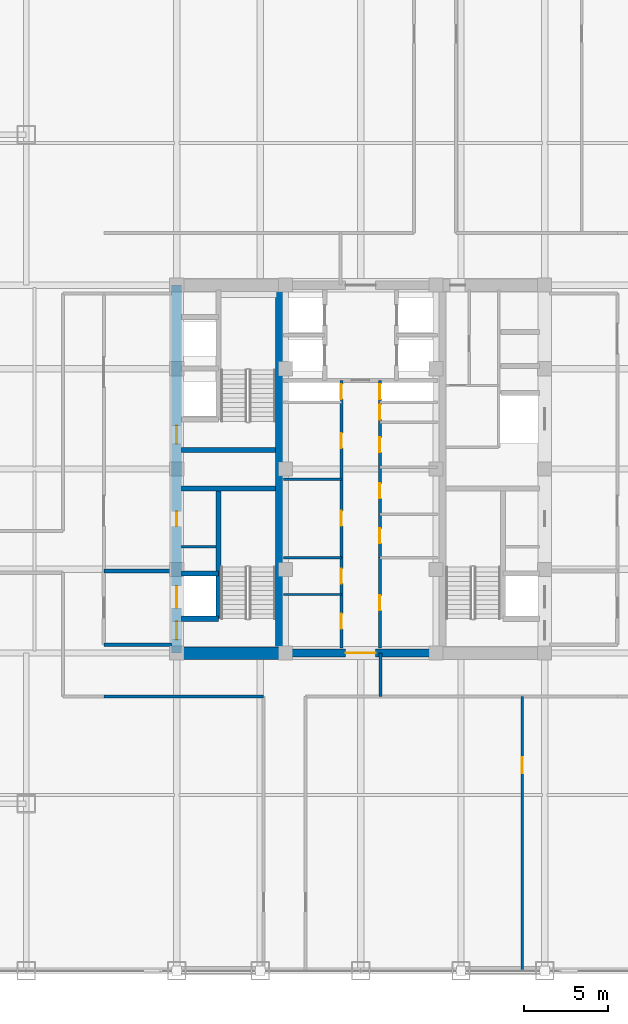
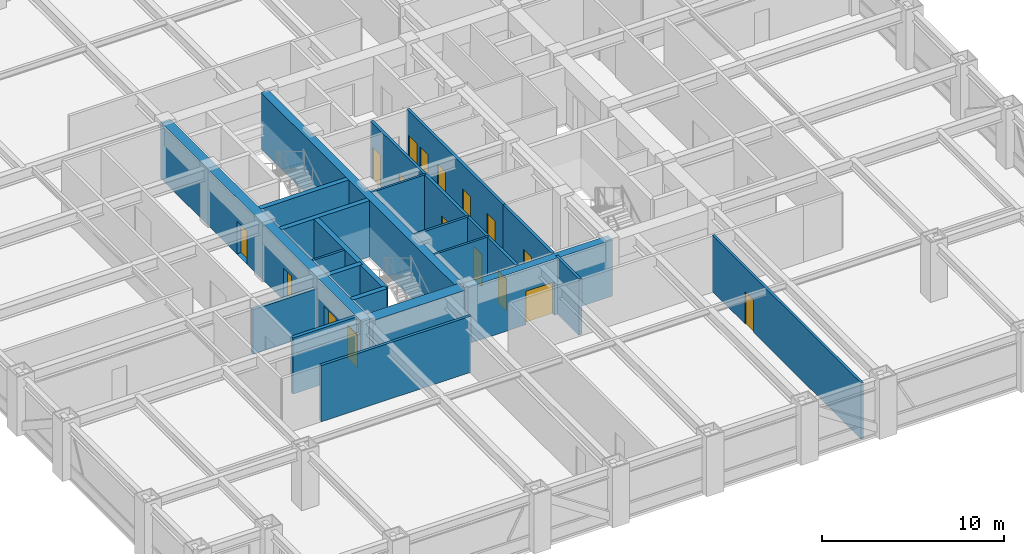
# One storey, part 20 of 24: 22 walls, 17 doors, 17 openings.
"""IFC4 building model written with IfcOpenShell, lengths in metres."""

from ifc_helpers import new_model, si_unit, direction, frame, frame_2d, origin, place, context, subcontext, project, spatial, rectangle, extrude, source, transform, mapped, material, layer, layer_set, type_object, element, fill, save


model = new_model("IFC4")

# Units and contexts
model_context = context("Model", 3, precision=1e-05, world=origin(), true_north=direction((0.0, 1.0)))
body_context = subcontext(model_context, "Body", "Model", "MODEL_VIEW")
ifc_project = project(units=[si_unit("LENGTHUNIT", "METRE"), si_unit("AREAUNIT", "SQUARE_METRE"), si_unit("VOLUMEUNIT", "CUBIC_METRE"), si_unit("PLANEANGLEUNIT", "RADIAN"), si_unit("MASSUNIT", "GRAM", prefix="KILO")], contexts=[model_context])

# Site, building, storey
site_placement = place(None, origin())
site = spatial("IfcSite", under=ifc_project, at=site_placement, CompositionType="ELEMENT")
building_placement = place(site_placement, origin())
building = spatial("IfcBuilding", under=site, at=building_placement, Name="Khorayat Bourse Tower", CompositionType="ELEMENT")
storey_placement = place(building_placement, frame((0.0, 0.0, 159.10009765625)))
storey = spatial("IfcBuildingStorey", under=building, at=storey_placement, Name="L36", CompositionType="ELEMENT", Elevation=159.10009765625)

# Wall, openings, doors
ifc_material_1 = material(Name="Concrete C60/75", Category="concrete")
ifc_layer_1 = layer(ifc_material_1, 0.60009765625)
ifc_layer_set_1 = layer_set([ifc_layer_1], Name="Concrete C60/75")
wall_type_1 = type_object("IfcWallType", Name="WAL-CORE-600", PredefinedType="SHEAR", material=ifc_layer_set_1)
shared_shape_1 = source(origin(), body_context, "Body", "SweptSolid", [
    extrude(rectangle(XDim=22.0, YDim=0.60009765625, at=frame_2d((11.0, 0.0))), origin(), (0.0, 0.0, 1.0), 3.77978515625),
])
wall_1_placement = place(storey_placement, frame((-11.0, -11.0, 0.0), z_axis=(0.0, 0.0, 1.0), x_axis=(0.0, 1.0, 0.0)))
wall_1 = element("IfcWall", 1, at=wall_1_placement, inside=storey, type_object=wall_type_1, Name="L36 Core Shear Wall CORE-W", PredefinedType="SHEAR", context=body_context, shape_type="MappedRepresentation", body=[
    mapped(shared_shape_1, transform((0.0, 0.0, 0.0), scale=1.0)),
])
shared_shape_2 = source(origin(), body_context, "Body", "SweptSolid", [
    extrude(rectangle(XDim=1.10009765625, YDim=2.199951171875, at=frame_2d((0.550048828125, 1.10009765625))), frame((0.0, 0.31005859375, 0.0), z_axis=(0.0, -1.0, 0.0), x_axis=(1.0, 0.0, 0.0)), (0.0, 0.0, 1.0), 0.6201171875),
])
opening_1_placement = place(wall_1_placement, frame((0.800048828125, 0.0, 0.0)))
opening_1 = element("IfcOpeningElement", 2, at=opening_1_placement, cuts=wall_1, Name="Opening DI-01", PredefinedType="OPENING", context=body_context, shape_type="MappedRepresentation", body=[
    mapped(shared_shape_2, transform((0.0, 0.0, 0.0), scale=1.0)),
])
opening_2_placement = place(wall_1_placement, frame((12.5, 0.0, 0.0)))
opening_2 = element("IfcOpeningElement", 3, at=opening_2_placement, cuts=wall_1, Name="Opening DI-01", PredefinedType="OPENING", context=body_context, shape_type="MappedRepresentation", body=[
    mapped(shared_shape_2, transform((0.0, 0.0, 0.0), scale=1.0)),
])
shared_shape_3 = source(origin(), body_context, "Body", "SweptSolid", [
    extrude(rectangle(XDim=0.89990234375, YDim=2.14990234375, at=frame_2d((0.449951171875, 1.074951171875))), frame((0.0, 0.31005859375, 0.0), z_axis=(0.0, -1.0, 0.0), x_axis=(1.0, 0.0, 0.0)), (0.0, 0.0, 1.0), 0.6201171875),
])
opening_3_placement = place(wall_1_placement, frame((7.574951171875, 0.0, 0.0)))
opening_3 = element("IfcOpeningElement", 4, at=opening_3_placement, cuts=wall_1, Name="Opening DI-06", PredefinedType="OPENING", context=body_context, shape_type="MappedRepresentation", body=[
    mapped(shared_shape_3, transform((0.0, 0.0, 0.0), scale=1.0)),
])
shared_shape_4 = source(origin(), body_context, "Body", "SweptSolid", [
    extrude(rectangle(XDim=1.300048828125, YDim=2.300048828125, at=frame_2d((0.64990234375, 1.14990234375))), frame((0.0, 0.31005859375, 0.0), z_axis=(0.0, -1.0, 0.0), x_axis=(1.0, 0.0, 0.0)), (0.0, 0.0, 1.0), 0.6201171875),
])
opening_4_placement = place(wall_1_placement, frame((2.699951171875, 0.0, 0.0)))
opening_4 = element("IfcOpeningElement", 5, at=opening_4_placement, cuts=wall_1, Name="Opening LD-02", PredefinedType="OPENING", context=body_context, shape_type="MappedRepresentation", body=[
    mapped(shared_shape_4, transform((0.0, 0.0, 0.0), scale=1.0)),
])
ifc_material_2 = material(Name="Fire-rated steel acoustic leaf", Category="steel")
door_type_1 = type_object("IfcDoorType", Name="DR-INT-STAIR-1100", OperationType="NOTDEFINED", PredefinedType="DOOR", material=ifc_material_2)
shared_shape_5 = source(origin(), body_context, "Body", "SweptSolid", [
    extrude(rectangle(XDim=1.10009765625, YDim=2.199951171875, at=frame_2d((0.550048828125, 1.10009765625))), frame((0.0, 0.02490234375, 0.0), z_axis=(0.0, -1.0, 0.0), x_axis=(1.0, 0.0, 0.0)), (0.0, 0.0, 1.0), 0.050048828125),
])
door_1_placement = place(opening_1_placement, origin())
door_1 = element("IfcDoor", 6, at=door_1_placement, inside=storey, type_object=door_type_1, Name="L36 Exit Stair 1 Door", OperationType="SINGLE_SWING_RIGHT", OverallHeight=2.199951171875, OverallWidth=1.10009765625, PredefinedType="DOOR", context=body_context, shape_type="MappedRepresentation", body=[
    mapped(shared_shape_5, transform((0.0, 0.0, 0.0), scale=1.0)),
])
fill(opening_1, door_1)
door_2_placement = place(opening_2_placement, origin())
door_2 = element("IfcDoor", 7, at=door_2_placement, inside=storey, type_object=door_type_1, Name="L36 Exit Stair 2 Door", OperationType="SINGLE_SWING_RIGHT", OverallHeight=2.199951171875, OverallWidth=1.10009765625, PredefinedType="DOOR", context=body_context, shape_type="MappedRepresentation", body=[
    mapped(shared_shape_5, transform((0.0, 0.0, 0.0), scale=1.0)),
])
fill(opening_2, door_2)
ifc_material_3 = material(Name="Moisture-resistant laminate washroom door")
door_type_2 = type_object("IfcDoorType", Name="DR-INT-WC-900", OperationType="NOTDEFINED", PredefinedType="DOOR", material=ifc_material_3)
shared_shape_6 = source(origin(), body_context, "Body", "SweptSolid", [
    extrude(rectangle(XDim=0.89990234375, YDim=2.14990234375, at=frame_2d((0.449951171875, 1.074951171875))), frame((0.0, 0.02490234375, 0.0), z_axis=(0.0, -1.0, 0.0), x_axis=(1.0, 0.0, 0.0)), (0.0, 0.0, 1.0), 0.050048828125),
])
door_3_placement = place(opening_3_placement, origin())
door_3 = element("IfcDoor", 8, at=door_3_placement, inside=storey, type_object=door_type_2, Name="L36 UPS Switch Plant Room Door", OperationType="SINGLE_SWING_RIGHT", OverallHeight=2.14990234375, OverallWidth=0.89990234375, PredefinedType="DOOR", context=body_context, shape_type="MappedRepresentation", body=[
    mapped(shared_shape_6, transform((0.0, 0.0, 0.0), scale=1.0)),
])
fill(opening_3, door_3)
ifc_material_4 = material(Name="Fire-rated stainless-steel sliding landing door", Category="steel")
door_type_3 = type_object("IfcDoorType", Name="DR-LIFT-FF-1300", OperationType="NOTDEFINED", PredefinedType="DOOR", material=ifc_material_4)
shared_shape_7 = source(origin(), body_context, "Body", "SweptSolid", [
    extrude(rectangle(XDim=1.300048828125, YDim=2.300048828125, at=frame_2d((0.64990234375, 1.14990234375))), frame((0.0, 0.02490234375, 0.0), z_axis=(0.0, -1.0, 0.0), x_axis=(1.0, 0.0, 0.0)), (0.0, 0.0, 1.0), 0.050048828125),
])
door_4_placement = place(opening_4_placement, origin())
door_4 = element("IfcDoor", 9, at=door_4_placement, inside=storey, type_object=door_type_3, Name="L36 Lift FFL-01 Sliding Landing Door", OperationType="SLIDING_TO_LEFT", OverallHeight=2.300048828125, OverallWidth=1.300048828125, PredefinedType="DOOR", context=body_context, shape_type="MappedRepresentation", body=[
    mapped(shared_shape_7, transform((0.0, 0.0, 0.0), scale=1.0)),
])
fill(opening_4, door_4)

# Walls
ifc_material_5 = material(Name="Concrete C52/65", Category="concrete")
ifc_layer_2 = layer(ifc_material_5, 0.5)
ifc_layer_set_2 = layer_set([ifc_layer_2], Name="Concrete C52/65")
wall_type_2 = type_object("IfcWallType", Name="WAL-CORE-500", PredefinedType="SHEAR", material=ifc_layer_set_2)
shared_shape_8 = source(origin(), body_context, "Body", "SweptSolid", [
    extrude(rectangle(XDim=21.39990234375, YDim=0.5, at=frame_2d((10.699951171875, 0.0))), origin(), (0.0, 0.0, 1.0), 3.77978515625),
])
wall_2_placement = place(storey_placement, frame((-4.85009765625, -10.699951171875, 0.0), z_axis=(0.0, 0.0, 1.0), x_axis=(0.0, 1.0, 0.0)))
element("IfcWall", 10, at=wall_2_placement, inside=storey, type_object=wall_type_2, Name="L36 Core Shear Wall PIER-W", PredefinedType="SHEAR", context=body_context, shape_type="MappedRepresentation", body=[
    mapped(shared_shape_8, transform((0.0, 0.0, 0.0), scale=1.0)),
])
ifc_material_6 = material(Name="Concrete C72/90", Category="concrete")
ifc_layer_3 = layer(ifc_material_6, 0.75)
ifc_layer_set_3 = layer_set([ifc_layer_3], Name="Concrete C72/90")
wall_type_3 = type_object("IfcWallType", Name="WAL-CORE-750", PredefinedType="SHEAR", material=ifc_layer_set_3)
shared_shape_9 = source(origin(), body_context, "Body", "SweptSolid", [
    extrude(rectangle(XDim=5.849853515625, YDim=0.75, at=frame_2d((2.9248046875, 0.0))), origin(), (0.0, 0.0, 1.0), 3.77978515625),
])
wall_3_placement = place(storey_placement, frame((-10.699951171875, -11.0, 0.0), z_axis=(0.0, 0.0, 1.0), x_axis=(1.0, 0.0, 0.0)))
element("IfcWall", 11, at=wall_3_placement, inside=storey, type_object=wall_type_3, Name="L36 Core Shear Wall PIER-WS", PredefinedType="SHEAR", context=body_context, shape_type="MappedRepresentation", body=[
    mapped(shared_shape_9, transform((0.0, 0.0, 0.0), scale=1.0)),
])
ifc_material_7 = material(Name="Concrete C50/60", Category="concrete")
ifc_layer_4 = layer(ifc_material_7, 0.300048828125)
ifc_layer_set_4 = layer_set([ifc_layer_4], Name="Concrete C50/60")
wall_type_4 = type_object("IfcWallType", Name="WAL-SHAFT-300", PredefinedType="SHEAR", material=ifc_layer_set_4)
shared_shape_10 = source(origin(), body_context, "Body", "SweptSolid", [
    extrude(rectangle(XDim=5.599853515625, YDim=0.300048828125, at=frame_2d((2.7998046875, 0.0))), origin(), (0.0, 0.0, 1.0), 3.77978515625),
])
for number, where, z_axis, x_axis, name in (
    (12, (-10.699951171875, -1.14990234375, 0.0), (0.0, 0.0, 1.0), (1.0, 0.0, 0.0), "L36 Core Shear Wall ST1-DIV"),
    (13, (-10.699951171875, 1.14990234375, 0.0), (0.0, 0.0, 1.0), (1.0, 0.0, 0.0), "L36 Core Shear Wall ST2-DIV"),
):
    element("IfcWall", number, at=place(storey_placement, frame(where, z_axis=z_axis, x_axis=x_axis)), inside=storey, type_object=wall_type_4, Name=name, PredefinedType="SHEAR", context=body_context, shape_type="MappedRepresentation", body=[
        mapped(shared_shape_10, transform((0.0, 0.0, 0.0), scale=1.0)),
    ])

# Wall, opening, door
shared_shape_11 = source(origin(), body_context, "Body", "SweptSolid", [
    extrude(rectangle(XDim=9.2001953125, YDim=0.5, at=frame_2d((4.60009765625, 0.0))), origin(), (0.0, 0.0, 1.0), 3.77978515625),
])
wall_4_placement = place(storey_placement, frame((-4.60009765625, -11.0, 0.0), z_axis=(0.0, 0.0, 1.0), x_axis=(1.0, 0.0, 0.0)))
wall_4 = element("IfcWall", 14, at=wall_4_placement, inside=storey, type_object=wall_type_2, Name="L36 Core Shear Wall CORE-S", PredefinedType="SHEAR", context=body_context, shape_type="MappedRepresentation", body=[
    mapped(shared_shape_11, transform((0.0, 0.0, 0.0), scale=1.0)),
])
shared_shape_12 = source(origin(), body_context, "Body", "SweptSolid", [
    extrude(rectangle(XDim=1.800048828125, YDim=2.25, at=frame_2d((0.89990234375, 1.125))), frame((0.0, 0.260009765625, 0.0), z_axis=(0.0, -1.0, 0.0), x_axis=(1.0, 0.0, 0.0)), (0.0, 0.0, 1.0), 0.52001953125),
])
opening_5_placement = place(wall_4_placement, frame((3.699951171875, 0.0, 0.0)))
opening_5 = element("IfcOpeningElement", 15, at=opening_5_placement, cuts=wall_4, Name="Opening DI-03", PredefinedType="OPENING", context=body_context, shape_type="MappedRepresentation", body=[
    mapped(shared_shape_12, transform((0.0, 0.0, 0.0), scale=1.0)),
])
ifc_material_8 = material(Name="Fire-rated hardwood vision-panel double leaf", Category="wood")
door_type_4 = type_object("IfcDoorType", Name="DR-INT-CORR-1800", OperationType="NOTDEFINED", PredefinedType="DOOR", material=ifc_material_8)
shared_shape_13 = source(origin(), body_context, "Body", "SweptSolid", [
    extrude(rectangle(XDim=1.800048828125, YDim=2.25, at=frame_2d((0.89990234375, 1.125))), frame((0.0, 0.02490234375, 0.0), z_axis=(0.0, -1.0, 0.0), x_axis=(1.0, 0.0, 0.0)), (0.0, 0.0, 1.0), 0.050048828125),
])
door_5_placement = place(opening_5_placement, origin())
door_5 = element("IfcDoor", 16, at=door_5_placement, inside=storey, type_object=door_type_4, Name="L36 Central Core South Passage Door", OperationType="SINGLE_SWING_LEFT", OverallHeight=2.25, OverallWidth=1.800048828125, PredefinedType="DOOR", context=body_context, shape_type="MappedRepresentation", body=[
    mapped(shared_shape_13, transform((0.0, 0.0, 0.0), scale=1.0)),
])
fill(opening_5, door_5)

# Walls
shared_shape_14 = source(origin(), body_context, "Body", "SweptSolid", [
    extrude(rectangle(XDim=7.800048828125, YDim=0.300048828125, at=frame_2d((3.89990234375, 0.0))), origin(), (0.0, 0.0, 1.0), 3.77978515625),
])
wall_5_placement = place(storey_placement, frame((-8.5, -8.949951171875, 0.0), z_axis=(0.0, 0.0, 1.0), x_axis=(0.0, 1.0, 0.0)))
element("IfcWall", 17, at=wall_5_placement, inside=storey, type_object=wall_type_4, Name="L36 Partition WAL-L36-WPIER-SP", PredefinedType="SHEAR", context=body_context, shape_type="MappedRepresentation", body=[
    mapped(shared_shape_14, transform((0.0, 0.0, 0.0), scale=1.0)),
])
shared_shape_15 = source(origin(), body_context, "Body", "SweptSolid", [
    extrude(rectangle(XDim=2.199951171875, YDim=0.300048828125, at=frame_2d((1.10009765625, 0.0))), origin(), (0.0, 0.0, 1.0), 3.77978515625),
])
for number, where, z_axis, x_axis, name in (
    (18, (-10.699951171875, -8.949951171875, 0.0), (0.0, 0.0, 1.0), (1.0, 0.0, 0.0), "L36 Partition WAL-L36-WPIER-FF1S"),
    (19, (-10.699951171875, -6.25, 0.0), (0.0, 0.0, 1.0), (1.0, 0.0, 0.0), "L36 Partition WAL-L36-WPIER-FF1N"),
):
    element("IfcWall", number, at=place(storey_placement, frame(where, z_axis=z_axis, x_axis=x_axis)), inside=storey, type_object=wall_type_4, Name=name, PredefinedType="SHEAR", context=body_context, shape_type="MappedRepresentation", body=[
        mapped(shared_shape_15, transform((0.0, 0.0, 0.0), scale=1.0)),
    ])
ifc_material_9 = material(Name="Gypsum plasterboard twin-frame partition")
ifc_layer_5 = layer(ifc_material_9, 0.14990234375)
ifc_layer_set_5 = layer_set([ifc_layer_5], Name="Gypsum plasterboard twin-frame partition")
wall_type_5 = type_object("IfcWallType", Name="WAL-PART-SUITE-150", PredefinedType="PARTITIONING", material=ifc_layer_set_5)
shared_shape_16 = source(origin(), body_context, "Body", "SweptSolid", [
    extrude(rectangle(XDim=2.050048828125, YDim=0.14990234375, at=frame_2d((1.02490234375, 0.0))), origin(), (0.0, 0.0, 1.0), 3.77978515625),
])
wall_6_placement = place(storey_placement, frame((-10.699951171875, -4.64990234375, 0.0), z_axis=(0.0, 0.0, 1.0), x_axis=(1.0, 0.0, 0.0)))
element("IfcWall", 20, at=wall_6_placement, inside=storey, type_object=wall_type_5, Name="L36 Partition WAL-L36-WSRV-S0", PredefinedType="PARTITIONING", context=body_context, shape_type="MappedRepresentation", body=[
    mapped(shared_shape_16, transform((0.0, 0.0, 0.0), scale=1.0)),
])
ifc_material_10 = material(Name="Aerated concrete blockwork", Category="masonry")
ifc_layer_6 = layer(ifc_material_10, 0.219970703125)
ifc_layer_set_6 = layer_set([ifc_layer_6], Name="Aerated concrete blockwork")
wall_type_6 = type_object("IfcWallType", Name="WAL-PART-FF-220", PredefinedType="PARTITIONING", material=ifc_layer_set_6)
shared_shape_17 = source(origin(), body_context, "Body", "SweptSolid", [
    extrude(rectangle(XDim=4.050048828125, YDim=0.219970703125, at=frame_2d((2.02490234375, 0.0))), origin(), (0.0, 0.0, 1.0), 3.77978515625),
])
wall_7_placement = place(storey_placement, frame((-15.35009765625, -10.5, 0.0), z_axis=(0.0, 0.0, 1.0), x_axis=(1.0, 0.0, 0.0)))
element("IfcWall", 21, at=wall_7_placement, inside=storey, type_object=wall_type_6, Name="L36 Partition WAL-L36-FFLW-S", PredefinedType="PARTITIONING", context=body_context, shape_type="MappedRepresentation", body=[
    mapped(shared_shape_17, transform((0.0, 0.0, 0.0), scale=1.0)),
])
shared_shape_18 = source(origin(), body_context, "Body", "SweptSolid", [
    extrude(rectangle(XDim=4.050048828125, YDim=0.219970703125, at=frame_2d((2.02490234375, 0.0))), origin(), (0.0, 0.0, 1.0), 3.0068359375),
])
wall_8_placement = place(storey_placement, frame((-15.35009765625, -6.10009765625, 0.0), z_axis=(0.0, 0.0, 1.0), x_axis=(1.0, 0.0, 0.0)))
element("IfcWall", 22, at=wall_8_placement, inside=storey, type_object=wall_type_6, Name="L36 Partition WAL-L36-FFLW-N", PredefinedType="PARTITIONING", context=body_context, shape_type="MappedRepresentation", body=[
    mapped(shared_shape_18, transform((0.0, 0.0, 0.0), scale=1.0)),
])
shared_shape_19 = source(origin(), body_context, "Body", "SweptSolid", [
    extrude(rectangle(XDim=3.4501953125, YDim=0.14990234375, at=frame_2d((1.72509765625, 0.0))), origin(), (0.0, 0.0, 1.0), 3.77978515625),
])
wall_9_placement = place(storey_placement, frame((-4.60009765625, -5.300048828125, 0.0), z_axis=(0.0, 0.0, 1.0), x_axis=(1.0, 0.0, 0.0)))
element("IfcWall", 23, at=wall_9_placement, inside=storey, type_object=wall_type_5, Name="L36 Partition WAL-L36-FB1-NW", PredefinedType="PARTITIONING", context=body_context, shape_type="MappedRepresentation", body=[
    mapped(shared_shape_19, transform((0.0, 0.0, 0.0), scale=1.0)),
])
ifc_material_11 = material(Name="Moisture-resistant masonry partition", Category="masonry")
ifc_layer_7 = layer(ifc_material_11, 0.139892578125)
ifc_layer_set_7 = layer_set([ifc_layer_7], Name="Moisture-resistant masonry partition")
wall_type_7 = type_object("IfcWallType", Name="WAL-PART-WET-140", PredefinedType="PARTITIONING", material=ifc_layer_set_7)
shared_shape_20 = source(origin(), body_context, "Body", "SweptSolid", [
    extrude(rectangle(XDim=3.4501953125, YDim=0.139892578125, at=frame_2d((1.72509765625, 0.0))), origin(), (0.0, 0.0, 1.0), 3.77978515625),
])
for number, where, z_axis, x_axis, name in (
    (24, (-4.60009765625, -7.5, 0.0), (0.0, 0.0, 1.0), (1.0, 0.0, 0.0), "L36 Partition WAL-L36-FB1W-D1"),
    (25, (-4.60009765625, -0.60009765625, 0.0), (0.0, 0.0, 1.0), (1.0, 0.0, 0.0), "L36 Partition WAL-L36-CMW-D1"),
):
    element("IfcWall", number, at=place(storey_placement, frame(where, z_axis=z_axis, x_axis=x_axis)), inside=storey, type_object=wall_type_7, Name=name, PredefinedType="PARTITIONING", context=body_context, shape_type="MappedRepresentation", body=[
        mapped(shared_shape_20, transform((0.0, 0.0, 0.0), scale=1.0)),
    ])

# Wall, openings, doors
ifc_material_12 = material(Name="Gypsum plasterboard acoustic stud wall")
ifc_layer_8 = layer(ifc_material_12, 0.179931640625)
ifc_layer_set_8 = layer_set([ifc_layer_8], Name="Gypsum plasterboard acoustic stud wall")
wall_type_8 = type_object("IfcWallType", Name="WAL-PART-CORR-180", PredefinedType="PARTITIONING", material=ifc_layer_set_8)
shared_shape_21 = source(origin(), body_context, "Body", "SweptSolid", [
    extrude(rectangle(XDim=5.39990234375, YDim=0.179931640625, at=frame_2d((2.699951171875, 0.0))), origin(), (0.0, 0.0, 1.0), 3.77978515625),
])
wall_10_placement = place(storey_placement, frame((-1.14990234375, -10.699951171875, 0.0), z_axis=(0.0, 0.0, 1.0), x_axis=(0.0, 1.0, 0.0)))
wall_10 = element("IfcWall", 26, at=wall_10_placement, inside=storey, type_object=wall_type_8, Name="L36 Partition WAL-L36-FB1W-L", PredefinedType="PARTITIONING", context=body_context, shape_type="MappedRepresentation", body=[
    mapped(shared_shape_21, transform((0.0, 0.0, 0.0), scale=1.0)),
])
shared_shape_22 = source(origin(), body_context, "Body", "SweptSolid", [
    extrude(rectangle(XDim=0.89990234375, YDim=2.14990234375, at=frame_2d((0.449951171875, 1.074951171875))), frame((0.0, 0.099853515625, 0.0), z_axis=(0.0, -1.0, 0.0), x_axis=(1.0, 0.0, 0.0)), (0.0, 0.0, 1.0), 0.199951171875),
])
opening_6_placement = place(wall_10_placement, frame((1.14990234375, 0.0, 0.0)))
opening_6 = element("IfcOpeningElement", 27, at=opening_6_placement, cuts=wall_10, Name="Opening DI-06", PredefinedType="OPENING", context=body_context, shape_type="MappedRepresentation", body=[
    mapped(shared_shape_22, transform((0.0, 0.0, 0.0), scale=1.0)),
])
opening_7_placement = place(wall_10_placement, frame((3.85009765625, 0.0, 0.0)))
opening_7 = element("IfcOpeningElement", 28, at=opening_7_placement, cuts=wall_10, Name="Opening DI-06", PredefinedType="OPENING", context=body_context, shape_type="MappedRepresentation", body=[
    mapped(shared_shape_22, transform((0.0, 0.0, 0.0), scale=1.0)),
])
door_6_placement = place(opening_6_placement, origin())
door_6 = element("IfcDoor", 29, at=door_6_placement, inside=storey, type_object=door_type_2, Name="L36 Records Vault Store Door", OperationType="SINGLE_SWING_RIGHT", OverallHeight=2.14990234375, OverallWidth=0.89990234375, PredefinedType="DOOR", context=body_context, shape_type="MappedRepresentation", body=[
    mapped(shared_shape_6, transform((0.0, 0.0, 0.0), scale=1.0)),
])
fill(opening_6, door_6)
door_7_placement = place(opening_7_placement, origin())
door_7 = element("IfcDoor", 30, at=door_7_placement, inside=storey, type_object=door_type_2, Name="L36 Sprinkler Valve Plant Room Door", OperationType="SINGLE_SWING_LEFT", OverallHeight=2.14990234375, OverallWidth=0.89990234375, PredefinedType="DOOR", context=body_context, shape_type="MappedRepresentation", body=[
    mapped(shared_shape_6, transform((0.0, 0.0, 0.0), scale=1.0)),
])
fill(opening_7, door_7)

# Wall, opening, door
wall_11_placement = place(storey_placement, frame((1.14990234375, -10.699951171875, 0.0), z_axis=(0.0, 0.0, 1.0), x_axis=(0.0, 1.0, 0.0)))
wall_11 = element("IfcWall", 31, at=wall_11_placement, inside=storey, type_object=wall_type_8, Name="L36 Partition WAL-L36-FB1E-L", PredefinedType="PARTITIONING", context=body_context, shape_type="MappedRepresentation", body=[
    mapped(shared_shape_21, transform((0.0, 0.0, 0.0), scale=1.0)),
])
opening_8_placement = place(wall_11_placement, frame((2.25, 0.0, 0.0)))
opening_8 = element("IfcOpeningElement", 32, at=opening_8_placement, cuts=wall_11, Name="Opening DI-06", PredefinedType="OPENING", context=body_context, shape_type="MappedRepresentation", body=[
    mapped(shared_shape_22, transform((0.0, 0.0, 0.0), scale=1.0)),
])
door_8_placement = place(opening_8_placement, origin())
door_8 = element("IfcDoor", 33, at=door_8_placement, inside=storey, type_object=door_type_2, Name="L36 Telemetry Server Plant Room Door", OperationType="SINGLE_SWING_RIGHT", OverallHeight=2.14990234375, OverallWidth=0.89990234375, PredefinedType="DOOR", context=body_context, shape_type="MappedRepresentation", body=[
    mapped(shared_shape_6, transform((0.0, 0.0, 0.0), scale=1.0)),
])
fill(opening_8, door_8)

# Wall, openings, doors
shared_shape_23 = source(origin(), body_context, "Body", "SweptSolid", [
    extrude(rectangle(XDim=10.60009765625, YDim=0.179931640625, at=frame_2d((5.300048828125, 0.0))), origin(), (0.0, 0.0, 1.0), 3.77978515625),
])
wall_12_placement = place(storey_placement, frame((-1.14990234375, -5.300048828125, 0.0), z_axis=(0.0, 0.0, 1.0), x_axis=(0.0, 1.0, 0.0)))
wall_12 = element("IfcWall", 34, at=wall_12_placement, inside=storey, type_object=wall_type_8, Name="L36 Partition WAL-L36-CMW-L", PredefinedType="PARTITIONING", context=body_context, shape_type="MappedRepresentation", body=[
    mapped(shared_shape_23, transform((0.0, 0.0, 0.0), scale=1.0)),
])
opening_9_placement = place(wall_12_placement, frame((1.89990234375, 0.0, 0.0)))
opening_9 = element("IfcOpeningElement", 35, at=opening_9_placement, cuts=wall_12, Name="Opening DI-06", PredefinedType="OPENING", context=body_context, shape_type="MappedRepresentation", body=[
    mapped(shared_shape_22, transform((0.0, 0.0, 0.0), scale=1.0)),
])
opening_10_placement = place(wall_12_placement, frame((6.550048828125, 0.0, 0.0)))
opening_10 = element("IfcOpeningElement", 36, at=opening_10_placement, cuts=wall_12, Name="Opening DI-06", PredefinedType="OPENING", context=body_context, shape_type="MappedRepresentation", body=[
    mapped(shared_shape_22, transform((0.0, 0.0, 0.0), scale=1.0)),
])
opening_11_placement = place(wall_12_placement, frame((9.47509765625, 0.0, 0.0)))
opening_11 = element("IfcOpeningElement", 37, at=opening_11_placement, cuts=wall_12, Name="Opening DI-06", PredefinedType="OPENING", context=body_context, shape_type="MappedRepresentation", body=[
    mapped(shared_shape_22, transform((0.0, 0.0, 0.0), scale=1.0)),
])
door_9_placement = place(opening_9_placement, origin())
door_9 = element("IfcDoor", 38, at=door_9_placement, inside=storey, type_object=door_type_2, Name="L36 Male Core Washroom Door", OperationType="SINGLE_SWING_RIGHT", OverallHeight=2.14990234375, OverallWidth=0.89990234375, PredefinedType="DOOR", context=body_context, shape_type="MappedRepresentation", body=[
    mapped(shared_shape_6, transform((0.0, 0.0, 0.0), scale=1.0)),
])
fill(opening_9, door_9)
door_10_placement = place(opening_10_placement, origin())
door_10 = element("IfcDoor", 39, at=door_10_placement, inside=storey, type_object=door_type_2, Name="L36 Chilled Water Riser Plant Room Door", OperationType="SINGLE_SWING_LEFT", OverallHeight=2.14990234375, OverallWidth=0.89990234375, PredefinedType="DOOR", context=body_context, shape_type="MappedRepresentation", body=[
    mapped(shared_shape_6, transform((0.0, 0.0, 0.0), scale=1.0)),
])
fill(opening_10, door_10)
door_11_placement = place(opening_11_placement, origin())
door_11 = element("IfcDoor", 40, at=door_11_placement, inside=storey, type_object=door_type_2, Name="L36 West Core Riser Door", OperationType="SINGLE_SWING_LEFT", OverallHeight=2.14990234375, OverallWidth=0.89990234375, PredefinedType="DOOR", context=body_context, shape_type="MappedRepresentation", body=[
    mapped(shared_shape_6, transform((0.0, 0.0, 0.0), scale=1.0)),
])
fill(opening_11, door_11)

wall_13_placement = place(storey_placement, frame((1.14990234375, -5.300048828125, 0.0), z_axis=(0.0, 0.0, 1.0), x_axis=(0.0, 1.0, 0.0)))
wall_13 = element("IfcWall", 41, at=wall_13_placement, inside=storey, type_object=wall_type_8, Name="L36 Partition WAL-L36-CME-L", PredefinedType="PARTITIONING", context=body_context, shape_type="MappedRepresentation", body=[
    mapped(shared_shape_23, transform((0.0, 0.0, 0.0), scale=1.0)),
])
opening_12_placement = place(wall_13_placement, frame((0.85009765625, 0.0, 0.0)))
opening_12 = element("IfcOpeningElement", 42, at=opening_12_placement, cuts=wall_13, Name="Opening DI-06", PredefinedType="OPENING", context=body_context, shape_type="MappedRepresentation", body=[
    mapped(shared_shape_22, transform((0.0, 0.0, 0.0), scale=1.0)),
])
opening_13_placement = place(wall_13_placement, frame((3.550048828125, 0.0, 0.0)))
opening_13 = element("IfcOpeningElement", 43, at=opening_13_placement, cuts=wall_13, Name="Opening DI-06", PredefinedType="OPENING", context=body_context, shape_type="MappedRepresentation", body=[
    mapped(shared_shape_22, transform((0.0, 0.0, 0.0), scale=1.0)),
])
opening_14_placement = place(wall_13_placement, frame((6.300048828125, 0.0, 0.0)))
opening_14 = element("IfcOpeningElement", 44, at=opening_14_placement, cuts=wall_13, Name="Opening DI-06", PredefinedType="OPENING", context=body_context, shape_type="MappedRepresentation", body=[
    mapped(shared_shape_22, transform((0.0, 0.0, 0.0), scale=1.0)),
])
opening_15_placement = place(wall_13_placement, frame((8.25, 0.0, 0.0)))
opening_15 = element("IfcOpeningElement", 45, at=opening_15_placement, cuts=wall_13, Name="Opening DI-06", PredefinedType="OPENING", context=body_context, shape_type="MappedRepresentation", body=[
    mapped(shared_shape_22, transform((0.0, 0.0, 0.0), scale=1.0)),
])
opening_16_placement = place(wall_13_placement, frame((9.47509765625, 0.0, 0.0)))
opening_16 = element("IfcOpeningElement", 46, at=opening_16_placement, cuts=wall_13, Name="Opening DI-06", PredefinedType="OPENING", context=body_context, shape_type="MappedRepresentation", body=[
    mapped(shared_shape_22, transform((0.0, 0.0, 0.0), scale=1.0)),
])
door_12_placement = place(opening_12_placement, origin())
door_12 = element("IfcDoor", 47, at=door_12_placement, inside=storey, type_object=door_type_2, Name="L36 Female Core Washroom Door", OperationType="SINGLE_SWING_RIGHT", OverallHeight=2.14990234375, OverallWidth=0.89990234375, PredefinedType="DOOR", context=body_context, shape_type="MappedRepresentation", body=[
    mapped(shared_shape_6, transform((0.0, 0.0, 0.0), scale=1.0)),
])
fill(opening_12, door_12)
door_13_placement = place(opening_13_placement, origin())
door_13 = element("IfcDoor", 48, at=door_13_placement, inside=storey, type_object=door_type_2, Name="L36 Comms Patch Room Door", OperationType="SINGLE_SWING_LEFT", OverallHeight=2.14990234375, OverallWidth=0.89990234375, PredefinedType="DOOR", context=body_context, shape_type="MappedRepresentation", body=[
    mapped(shared_shape_6, transform((0.0, 0.0, 0.0), scale=1.0)),
])
fill(opening_13, door_13)
door_14_placement = place(opening_14_placement, origin())
door_14 = element("IfcDoor", 49, at=door_14_placement, inside=storey, type_object=door_type_2, Name="L36 Janitor Cupboard Door", OperationType="SINGLE_SWING_RIGHT", OverallHeight=2.14990234375, OverallWidth=0.89990234375, PredefinedType="DOOR", context=body_context, shape_type="MappedRepresentation", body=[
    mapped(shared_shape_6, transform((0.0, 0.0, 0.0), scale=1.0)),
])
fill(opening_14, door_14)
door_15_placement = place(opening_15_placement, origin())
door_15 = element("IfcDoor", 50, at=door_15_placement, inside=storey, type_object=door_type_2, Name="L36 Fire Valve Plant Room Door", OperationType="SINGLE_SWING_LEFT", OverallHeight=2.14990234375, OverallWidth=0.89990234375, PredefinedType="DOOR", context=body_context, shape_type="MappedRepresentation", body=[
    mapped(shared_shape_6, transform((0.0, 0.0, 0.0), scale=1.0)),
])
fill(opening_15, door_15)
door_16_placement = place(opening_16_placement, origin())
door_16 = element("IfcDoor", 51, at=door_16_placement, inside=storey, type_object=door_type_2, Name="L36 East Core Riser Door", OperationType="SINGLE_SWING_RIGHT", OverallHeight=2.14990234375, OverallWidth=0.89990234375, PredefinedType="DOOR", context=body_context, shape_type="MappedRepresentation", body=[
    mapped(shared_shape_6, transform((0.0, 0.0, 0.0), scale=1.0)),
])
fill(opening_16, door_16)

# Walls
shared_shape_24 = source(origin(), body_context, "Body", "SweptSolid", [
    extrude(rectangle(XDim=2.60009765625, YDim=0.179931640625, at=frame_2d((1.300048828125, 0.0))), origin(), (0.0, 0.0, 1.0), 3.77978515625),
])
wall_14_placement = place(storey_placement, frame((1.199951171875, -13.60009765625, 0.0), z_axis=(0.0, 0.0, 1.0), x_axis=(0.0, 1.0, 0.0)))
element("IfcWall", 52, at=wall_14_placement, inside=storey, type_object=wall_type_8, Name="L36 Partition WAL-L36-C2-SCE", PredefinedType="PARTITIONING", context=body_context, shape_type="MappedRepresentation", body=[
    mapped(shared_shape_24, transform((0.0, 0.0, 0.0), scale=1.0)),
])
shared_shape_25 = source(origin(), body_context, "Body", "SweptSolid", [
    extrude(rectangle(XDim=9.550048828125, YDim=0.179931640625, at=frame_2d((4.77490234375, 0.0))), origin(), (0.0, 0.0, 1.0), 3.77978515625),
])
wall_15_placement = place(storey_placement, frame((-15.35009765625, -13.60009765625, 0.0), z_axis=(0.0, 0.0, 1.0), x_axis=(1.0, 0.0, 0.0)))
element("IfcWall", 53, at=wall_15_placement, inside=storey, type_object=wall_type_8, Name="L36 Partition WAL-L36-QSW-HC", PredefinedType="PARTITIONING", context=body_context, shape_type="MappedRepresentation", body=[
    mapped(shared_shape_25, transform((0.0, 0.0, 0.0), scale=1.0)),
])

# Wall, opening, door
shared_shape_26 = source(origin(), body_context, "Body", "SweptSolid", [
    extrude(rectangle(XDim=16.39990234375, YDim=0.14990234375, at=frame_2d((8.199951171875, 0.0))), origin(), (0.0, 0.0, 1.0), 3.77978515625),
])
wall_16_placement = place(storey_placement, frame((9.659912109375, -30.0, 0.0), z_axis=(0.0, 0.0, 1.0), x_axis=(0.0, 1.0, 0.0)))
wall_16 = element("IfcWall", 54, at=wall_16_placement, inside=storey, type_object=wall_type_5, Name="L36 Partition WAL-L36-QSEDV-1", PredefinedType="PARTITIONING", context=body_context, shape_type="MappedRepresentation", body=[
    mapped(shared_shape_26, transform((0.0, 0.0, 0.0), scale=1.0)),
])
shared_shape_27 = source(origin(), body_context, "Body", "SweptSolid", [
    extrude(rectangle(XDim=0.949951171875, YDim=2.14990234375, at=frame_2d((0.47509765625, 1.074951171875))), frame((0.0, 0.0849609375, 0.0), z_axis=(0.0, -1.0, 0.0), x_axis=(1.0, 0.0, 0.0)), (0.0, 0.0, 1.0), 0.169921875),
])
opening_17_placement = place(wall_16_placement, frame((11.824951171875, 0.0, 0.0)))
opening_17 = element("IfcOpeningElement", 55, at=opening_17_placement, cuts=wall_16, Name="Opening DI-05", PredefinedType="OPENING", context=body_context, shape_type="MappedRepresentation", body=[
    mapped(shared_shape_27, transform((0.0, 0.0, 0.0), scale=1.0)),
])
ifc_material_13 = material(Name="Acoustic oak veneer office door")
door_type_5 = type_object("IfcDoorType", Name="DR-INT-OFFICE-950", OperationType="NOTDEFINED", PredefinedType="DOOR", material=ifc_material_13)
shared_shape_28 = source(origin(), body_context, "Body", "SweptSolid", [
    extrude(rectangle(XDim=0.949951171875, YDim=2.14990234375, at=frame_2d((0.47509765625, 1.074951171875))), frame((0.0, 0.02490234375, 0.0), z_axis=(0.0, -1.0, 0.0), x_axis=(1.0, 0.0, 0.0)), (0.0, 0.0, 1.0), 0.050048828125),
])
door_17_placement = place(opening_17_placement, origin())
door_17 = element("IfcDoor", 56, at=door_17_placement, inside=storey, type_object=door_type_5, Name="L36 South-East Suite Link 1", OperationType="SINGLE_SWING_RIGHT", OverallHeight=2.14990234375, OverallWidth=0.949951171875, PredefinedType="DOOR", context=body_context, shape_type="MappedRepresentation", body=[
    mapped(shared_shape_28, transform((0.0, 0.0, 0.0), scale=1.0)),
])
fill(opening_17, door_17)

save(model, "model.ifc")
